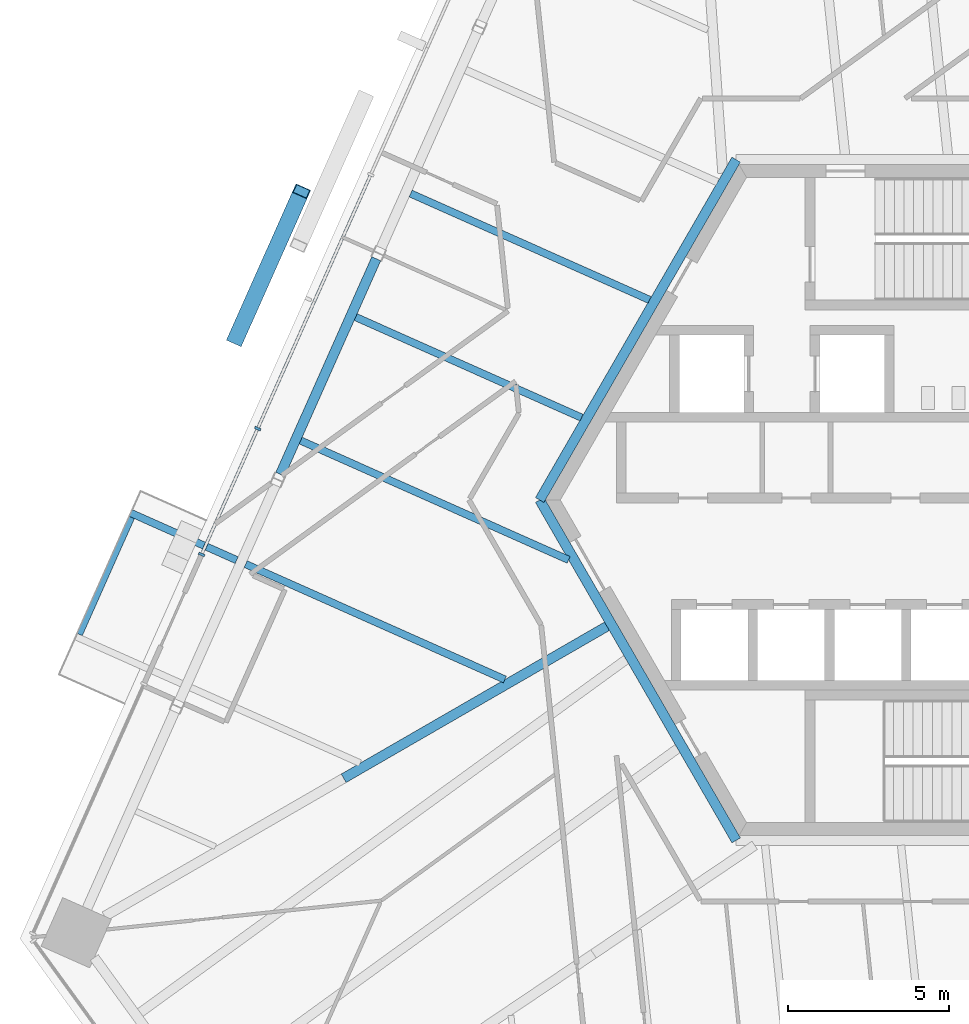
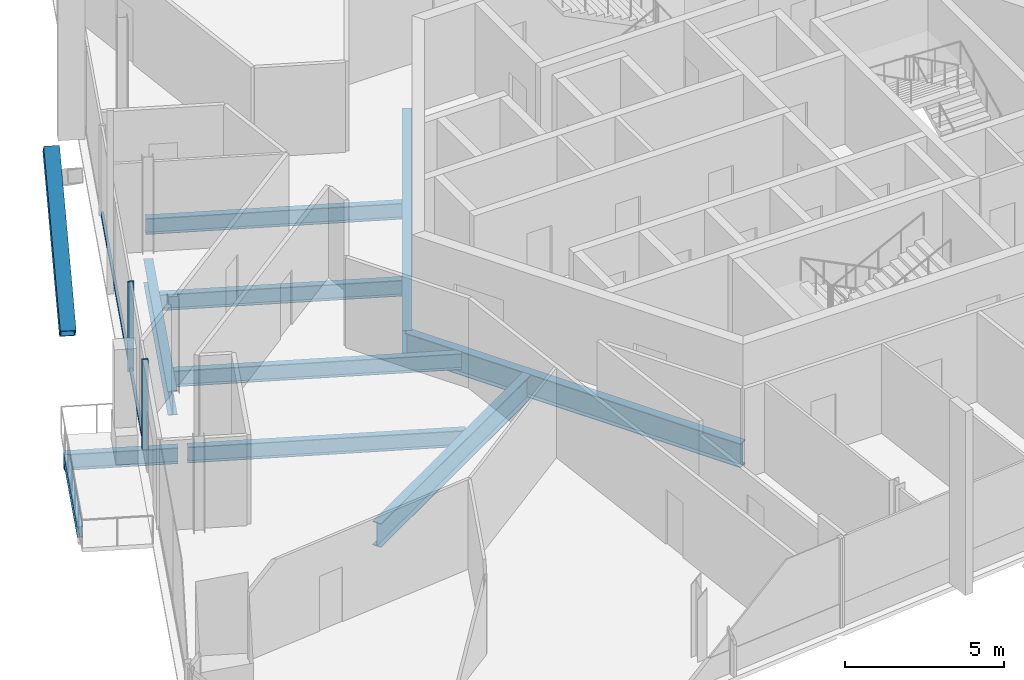
# One storey, part 5 of 20: 10 beams, 5 members, 1 element without a shape of its own.
"""IFC4 building model written with IfcOpenShell, lengths in metres."""

from ifc_helpers import new_model, si_unit, direction, frame, origin, origin_2d, place, context, subcontext, project, spatial, rectangle, hollow_rectangle, i_section, extrude, source, transform, mapped, material, material_profile, profile_set, type_object, element, aggregate, save


model = new_model("IFC4")

# Units and contexts
model_context = context("Model", 3, precision=1e-05, world=origin(), true_north=direction((0.0, 1.0)))
body_context = subcontext(model_context, "Body", "Model", "MODEL_VIEW")
ifc_project = project(units=[si_unit("LENGTHUNIT", "METRE"), si_unit("AREAUNIT", "SQUARE_METRE"), si_unit("VOLUMEUNIT", "CUBIC_METRE"), si_unit("PLANEANGLEUNIT", "RADIAN"), si_unit("MASSUNIT", "GRAM", prefix="KILO")], contexts=[model_context])

# Site, building, storey
site_placement = place(None, origin())
site = spatial("IfcSite", under=ifc_project, at=site_placement, CompositionType="ELEMENT")
building_placement = place(site_placement, origin())
building = spatial("IfcBuilding", under=site, at=building_placement, Name="Triune Harvest Tower", CompositionType="ELEMENT")
storey_placement = place(building_placement, frame((0.0, 0.0, 234.10009765625)))
storey = spatial("IfcBuildingStorey", under=building, at=storey_placement, Name="L61", CompositionType="ELEMENT", Elevation=234.10009765625)

# Curtain wall, members
ifc_material_1 = material(Name="Aluminium bronze anodised", Category="aluminium")
curtain_wall_type = type_object("IfcCurtainWallType", Name="CW-10 Balcony window wall with insulated spandrel infill", PredefinedType="NOTDEFINED", material=ifc_material_1)
curtain_wall_placement = place(storey_placement, origin())
curtain_wall = element("IfcCurtainWall", 1, at=curtain_wall_placement, inside=storey, type_object=curtain_wall_type, Name="CW-10 B6-F3 L61 run 1001")
ifc_material_2 = material(Name="Aluminium bronze anodised", Category="aluminium")
ifc_material_profile_1 = material_profile(ifc_material_2, rectangle(XDim=0.090087890625, YDim=0.14990234375, at=origin_2d()), Name="TR-6 transom 90 x 150")
ifc_profile_set_1 = profile_set([ifc_material_profile_1], Name="Aluminium bronze anodised")
member_type_1 = type_object("IfcMemberType", Name="TR-6 transom 90 x 150", PredefinedType="USERDEFINED", material=ifc_profile_set_1)
member_1_placement = place(storey_placement, frame((-17.42529296875, 10.042724609375, 0.074951171875), z_axis=(-0.406743476274, -0.913542415276, 0.0), x_axis=(0.913542415276, -0.406743476274, 0.0)))
member_1 = element("IfcMember", 2, at=member_1_placement, type_object=member_type_1, Name="CW-10 transom B6-F3 1001.2", ObjectType="TRANSOM", PredefinedType="USERDEFINED", context=body_context, shape_type="SweptSolid", body=[
    extrude(rectangle(XDim=0.090087890625, YDim=0.14990234375, at=origin_2d()), origin(), (0.0, 0.0, 1.0), 8.535400390625),
])
member_2_placement = place(storey_placement, frame((-20.927490234375, 2.1767578125, 0.074951171875), z_axis=(-0.406700309134, -0.91356163369, 0.0), x_axis=(0.91356163369, -0.406700309134, 0.0)))
member_2 = element("IfcMember", 3, at=member_2_placement, type_object=member_type_1, Name="CW-10 transom B6-F3 1001.3", ObjectType="TRANSOM", PredefinedType="USERDEFINED", context=body_context, shape_type="SweptSolid", body=[
    extrude(rectangle(XDim=0.090087890625, YDim=0.14990234375, at=origin_2d()), origin(), (0.0, 0.0, 1.0), 4.1923828125),
])

# Beams
ifc_material_3 = material(Name="Steel ASTM A992 Gr 50", Category="steel")
ifc_material_profile_2 = material_profile(ifc_material_3, i_section(OverallWidth=0.3046875, OverallDepth=0.914306640625, WebThickness=0.0166015625, FlangeThickness=0.02587890625, at=origin_2d()), Name="W36x160")
ifc_profile_set_2 = profile_set([ifc_material_profile_2], Name="Steel ASTM A992 Gr 50")
beam_type_1 = type_object("IfcBeamType", Name="CG-1 Core ring girder W36x160", PredefinedType="BEAM", material=ifc_profile_set_2)
shared_shape_1 = source(origin(), body_context, "Body", "SweptSolid", [
    extrude(i_section(OverallWidth=0.3046875, OverallDepth=0.914306640625, WebThickness=0.0166015625, FlangeThickness=0.02587890625, at=origin_2d()), origin(), (0.0, 0.0, 1.0), 12.176025390625),
])
for number, where, z_axis, x_axis, name in (
    (4, (-6.087890625, 10.544677734375, -0.6171875), (-0.5000099932, -0.866019634131, 0.0), (0.866019634131, -0.5000099932, 0.0), "beam/L61/CG3"),
    (5, (-12.176025390625, 0.0, -0.6171875), (0.5000099932, -0.866019634131, 0.0), (0.866019634131, 0.5000099932, 0.0), "beam/L61/CG4"),
):
    element("IfcBeam", number, at=place(storey_placement, frame(where, z_axis=z_axis, x_axis=x_axis)), inside=storey, type_object=beam_type_1, Name=name, PredefinedType="BEAM", context=body_context, shape_type="MappedRepresentation", body=[
        mapped(shared_shape_1, transform((0.0, 0.0, 0.0), scale=1.0)),
    ])
ifc_material_4 = material(Name="Steel ASTM A992 Gr 50", Category="steel")
ifc_material_profile_3 = material_profile(ifc_material_4, i_section(OverallWidth=0.3046875, OverallDepth=0.914306640625, WebThickness=0.0166015625, FlangeThickness=0.02587890625, at=origin_2d()), Name="W36x160")
ifc_profile_set_3 = profile_set([ifc_material_profile_3], Name="Steel ASTM A992 Gr 50")
beam_type_2 = type_object("IfcBeamType", Name="HG-3 Hip girder W36x160", PredefinedType="BEAM", material=ifc_profile_set_3)
shared_shape_2 = source(origin(), body_context, "Body", "SweptSolid", [
    extrude(i_section(OverallWidth=0.3046875, OverallDepth=0.914306640625, WebThickness=0.0166015625, FlangeThickness=0.02587890625, at=origin_2d()), origin(), (0.0, 0.0, 1.0), 9.416259765625),
])
beam_1_placement = place(storey_placement, frame((-18.247802734375, -8.62060546875, -0.6171875), z_axis=(0.866032742664, 0.499987288472, 0.0), x_axis=(-0.499987288472, 0.866032742664, 0.0)))
element("IfcBeam", 6, at=beam_1_placement, inside=storey, type_object=beam_type_2, Name="beam/L61/HG6", PredefinedType="BEAM", context=body_context, shape_type="MappedRepresentation", body=[
    mapped(shared_shape_2, transform((0.0, 0.0, 0.0), scale=1.0)),
])
ifc_material_5 = material(Name="Steel ASTM A992 Gr 50", Category="steel")
ifc_material_profile_4 = material_profile(ifc_material_5, i_section(OverallWidth=0.3046875, OverallDepth=0.914306640625, WebThickness=0.0166015625, FlangeThickness=0.02587890625, at=origin_2d()), Name="W36x160")
ifc_profile_set_4 = profile_set([ifc_material_profile_4], Name="Steel ASTM A992 Gr 50")
beam_type_3 = type_object("IfcBeamType", Name="SB-1 Spandrel beam W36x160", PredefinedType="SPANDREL", material=ifc_profile_set_4)
shared_shape_3 = source(origin(), body_context, "Body", "SweptSolid", [
    extrude(i_section(OverallWidth=0.3046875, OverallDepth=0.914306640625, WebThickness=0.0166015625, FlangeThickness=0.02587890625, at=origin_2d()), origin(), (0.0, 0.0, 1.0), 7.311279296875),
])
beam_2_placement = place(storey_placement, frame((-17.238525390625, 7.4736328125, -0.6171875), z_axis=(-0.406748727305, -0.913540077301, 0.0), x_axis=(0.913540077301, -0.406748727305, 0.0)))
element("IfcBeam", 7, at=beam_2_placement, inside=storey, type_object=beam_type_3, Name="beam/L61/SB12", PredefinedType="SPANDREL", context=body_context, shape_type="MappedRepresentation", body=[
    mapped(shared_shape_3, transform((0.0, 0.0, 0.0), scale=1.0)),
])
ifc_material_6 = material(Name="Steel ASTM A992 Gr 50", Category="steel")
ifc_material_profile_5 = material_profile(ifc_material_6, i_section(OverallWidth=0.22900390625, OverallDepth=0.612060546875, WebThickness=0.011962890625, FlangeThickness=0.01953125, at=origin_2d()), Name="W24x84")
ifc_profile_set_5 = profile_set([ifc_material_profile_5], Name="Steel ASTM A992 Gr 50")
beam_type_4 = type_object("IfcBeamType", Name="JT-3 Floor joist W24x84", PredefinedType="JOIST", material=ifc_profile_set_5)
shared_shape_4 = source(origin(), body_context, "Body", "SweptSolid", [
    extrude(i_section(OverallWidth=0.22900390625, OverallDepth=0.612060546875, WebThickness=0.011962890625, FlangeThickness=0.01953125, at=origin_2d()), origin(), (0.0, 0.0, 1.0), 8.099609375),
])
beam_3_placement = place(storey_placement, frame((-16.172607421875, 9.4931640625, -0.46630859375), z_axis=(0.913545356779, -0.406736869618, 0.0), x_axis=(0.406736869618, 0.913545356779, 0.0)))
element("IfcBeam", 8, at=beam_3_placement, inside=storey, type_object=beam_type_4, Name="beam/L61/JT17", PredefinedType="JOIST", context=body_context, shape_type="MappedRepresentation", body=[
    mapped(shared_shape_4, transform((0.0, 0.0, 0.0), scale=1.0)),
])
shared_shape_5 = source(origin(), body_context, "Body", "SweptSolid", [
    extrude(i_section(OverallWidth=0.22900390625, OverallDepth=0.612060546875, WebThickness=0.011962890625, FlangeThickness=0.01953125, at=origin_2d()), origin(), (0.0, 0.0, 1.0), 7.659423828125),
])
beam_4_placement = place(storey_placement, frame((-17.876220703125, 5.66650390625, -0.46630859375), z_axis=(0.913536623341, -0.406756484663, 0.0), x_axis=(0.406756484663, 0.913536623341, 0.0)))
element("IfcBeam", 9, at=beam_4_placement, inside=storey, type_object=beam_type_4, Name="beam/L61/JT18", PredefinedType="JOIST", context=body_context, shape_type="MappedRepresentation", body=[
    mapped(shared_shape_5, transform((0.0, 0.0, 0.0), scale=1.0)),
])
shared_shape_6 = source(origin(), body_context, "Body", "SweptSolid", [
    extrude(i_section(OverallWidth=0.22900390625, OverallDepth=0.612060546875, WebThickness=0.011962890625, FlangeThickness=0.01953125, at=origin_2d()), origin(), (0.0, 0.0, 1.0), 9.084716796875),
])
beam_5_placement = place(storey_placement, frame((-19.580078125, 1.83984375, -0.46630859375), z_axis=(0.913546495421, -0.406734312179, 0.0), x_axis=(0.406734312179, 0.913546495421, 0.0)))
element("IfcBeam", 10, at=beam_5_placement, inside=storey, type_object=beam_type_4, Name="beam/L61/JT19", PredefinedType="JOIST", context=body_context, shape_type="MappedRepresentation", body=[
    mapped(shared_shape_6, transform((0.0, 0.0, 0.0), scale=1.0)),
])
shared_shape_7 = source(origin(), body_context, "Body", "SweptSolid", [
    extrude(i_section(OverallWidth=0.22900390625, OverallDepth=0.612060546875, WebThickness=0.011962890625, FlangeThickness=0.01953125, at=origin_2d()), origin(), (0.0, 0.0, 1.0), 8.789306640625),
])
beam_6_placement = place(storey_placement, frame((-21.28369140625, -1.98681640625, -0.46630859375), z_axis=(0.913542165142, -0.406744038074, 0.0), x_axis=(0.406744038074, 0.913542165142, 0.0)))
element("IfcBeam", 11, at=beam_6_placement, inside=storey, type_object=beam_type_4, Name="beam/L61/JT20", PredefinedType="JOIST", context=body_context, shape_type="MappedRepresentation", body=[
    mapped(shared_shape_7, transform((0.0, 0.0, 0.0), scale=1.0)),
])

# Member
ifc_material_7 = material(Name="Steel ASTM A572 Gr 50", Category="steel")
ifc_material_profile_6 = material_profile(ifc_material_7, hollow_rectangle(XDim=0.5, YDim=0.5, WallThickness=0.030029296875, at=origin_2d()), Name="Box 500x500x30")
ifc_profile_set_6 = profile_set([ifc_material_profile_6], Name="Steel ASTM A572 Gr 50")
member_type_2 = type_object("IfcMemberType", Name="BR-3 Brace Box 500x500x30", PredefinedType="BRACE", material=ifc_profile_set_6)
shared_shape_8 = source(origin(), body_context, "Body", "SweptSolid", [
    extrude(hollow_rectangle(XDim=0.5, YDim=0.5, WallThickness=0.030029296875, at=origin_2d()), origin(), (0.0, 0.0, 1.0), 6.170654296875),
])
member_3_placement = place(storey_placement, frame((-21.59326171875, 4.98388671875, 0.0), z_axis=(0.330359661148, 0.741983842536, 0.583371641153), x_axis=(-0.913542177249, 0.406744010879, 0.0)))
element("IfcMember", 12, at=member_3_placement, inside=storey, type_object=member_type_2, Name="brace/B6-F3/d2/5", PredefinedType="BRACE", context=body_context, shape_type="MappedRepresentation", body=[
    mapped(shared_shape_8, transform((0.0, 0.0, 0.0), scale=1.0)),
])

ifc_material_8 = material(Name="Aluminium bronze anodised", Category="aluminium")
ifc_material_profile_7 = material_profile(ifc_material_8, rectangle(XDim=0.199951171875, YDim=0.074951171875, at=origin_2d()), Name="MU-6 mullion 75 x 200")
ifc_profile_set_7 = profile_set([ifc_material_profile_7], Name="Aluminium bronze anodised")
member_type_3 = type_object("IfcMemberType", Name="MU-6 mullion 75 x 200", PredefinedType="MULLION", material=ifc_profile_set_7)
shared_shape_9 = source(origin(), body_context, "Body", "SweptSolid", [
    extrude(rectangle(XDim=0.199951171875, YDim=0.074951171875, at=origin_2d()), origin(), (0.0, 0.0, 1.0), 3.43994140625),
])
member_4_placement = place(storey_placement, frame((-20.912109375, 2.211181640625, 0.0), z_axis=(0.0, 0.0, 1.0), x_axis=(0.913545206938, -0.406737206167, 0.0)))
member_4 = element("IfcMember", 13, at=member_4_placement, type_object=member_type_3, Name="CW-10 mullion B6-F3 1001.5", PredefinedType="MULLION", context=body_context, shape_type="MappedRepresentation", body=[
    mapped(shared_shape_9, transform((0.0, 0.0, 0.0), scale=1.0)),
])

member_5_placement = place(storey_placement, frame((-22.64794921875, -1.6875, 0.0), z_axis=(0.0, 0.0, 1.0), x_axis=(0.913545206938, -0.406737206167, 0.0)))
member_5 = element("IfcMember", 14, at=member_5_placement, type_object=member_type_3, Name="CW-10 mullion B6-F3 1001.6", PredefinedType="MULLION", context=body_context, shape_type="MappedRepresentation", body=[
    mapped(shared_shape_9, transform((0.0, 0.0, 0.0), scale=1.0)),
])

aggregate(curtain_wall, [member_4, member_5, member_1, member_2])

# Beams
ifc_material_9 = material(Name="Steel ASTM A992 Gr 50", Category="steel")
ifc_material_profile_8 = material_profile(ifc_material_9, i_section(OverallWidth=0.22900390625, OverallDepth=0.612060546875, WebThickness=0.011962890625, FlangeThickness=0.01953125, at=origin_2d()), Name="W24x84")
ifc_profile_set_8 = profile_set([ifc_material_profile_8], Name="Steel ASTM A992 Gr 50")
beam_type_5 = type_object("IfcBeamType", Name="BJ-3 Balcony cantilever joist W24x84", PredefinedType="JOIST", material=ifc_profile_set_8)
shared_shape_10 = source(origin(), body_context, "Body", "SweptSolid", [
    extrude(i_section(OverallWidth=0.22900390625, OverallDepth=0.612060546875, WebThickness=0.011962890625, FlangeThickness=0.01953125, at=origin_2d()), origin(), (0.0, 0.0, 1.0), 3.59765625),
])
beam_7_placement = place(storey_placement, frame((-21.562255859375, -1.86279296875, -0.46630859375), z_axis=(-0.913562315147, 0.406698778389, 0.0), x_axis=(-0.406698778389, -0.913562315147, 0.0)))
element("IfcBeam", 15, at=beam_7_placement, inside=storey, type_object=beam_type_5, Name="Balcony cantilever joist B6-F3 L61.9b", PredefinedType="JOIST", context=body_context, shape_type="MappedRepresentation", body=[
    mapped(shared_shape_10, transform((0.0, 0.0, 0.0), scale=1.0)),
])
ifc_material_10 = material(Name="Steel ASTM A992 Gr 50", Category="steel")
ifc_material_profile_9 = material_profile(ifc_material_10, i_section(OverallWidth=0.180908203125, OverallDepth=0.41650390625, WebThickness=0.010986328125, FlangeThickness=0.01806640625, at=origin_2d()), Name="W16x57")
ifc_profile_set_9 = profile_set([ifc_material_profile_9], Name="Steel ASTM A992 Gr 50")
beam_type_6 = type_object("IfcBeamType", Name="BE-1 balcony edge beam W16x57", PredefinedType="BEAM", material=ifc_profile_set_9)
shared_shape_11 = source(origin(), body_context, "Body", "SweptSolid", [
    extrude(i_section(OverallWidth=0.180908203125, OverallDepth=0.41650390625, WebThickness=0.010986328125, FlangeThickness=0.01806640625, at=origin_2d()), origin(), (0.0, 0.0, 1.0), 3.96923828125),
])
beam_8_placement = place(storey_placement, frame((-26.42724609375, -4.1669921875, -0.368408203125), z_axis=(0.406760439373, 0.913534862477, 0.0), x_axis=(-0.913534862477, 0.406760439373, 0.0)))
element("IfcBeam", 16, at=beam_8_placement, inside=storey, type_object=beam_type_6, Name="Balcony edge beam B6-F3 L61.9", PredefinedType="BEAM", context=body_context, shape_type="MappedRepresentation", body=[
    mapped(shared_shape_11, transform((0.0, 0.0, 0.0), scale=1.0)),
])

save(model, "model.ifc")
